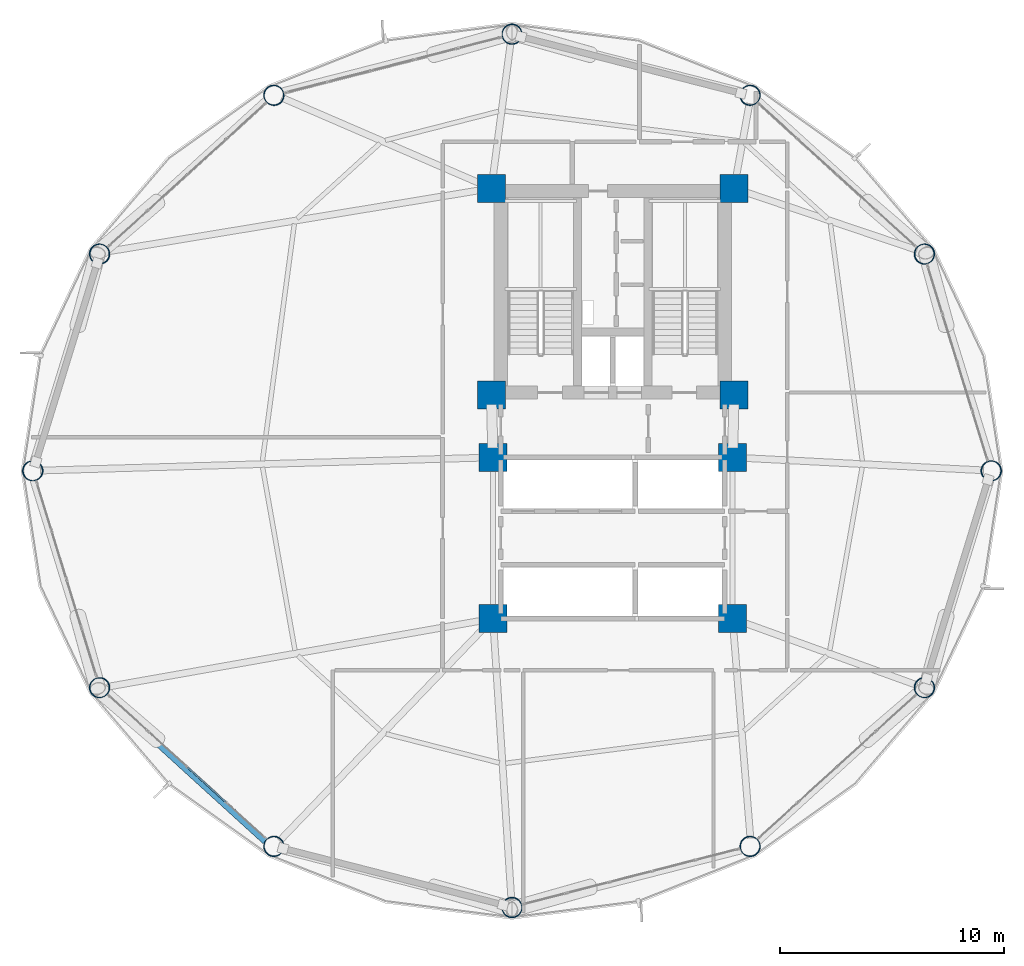
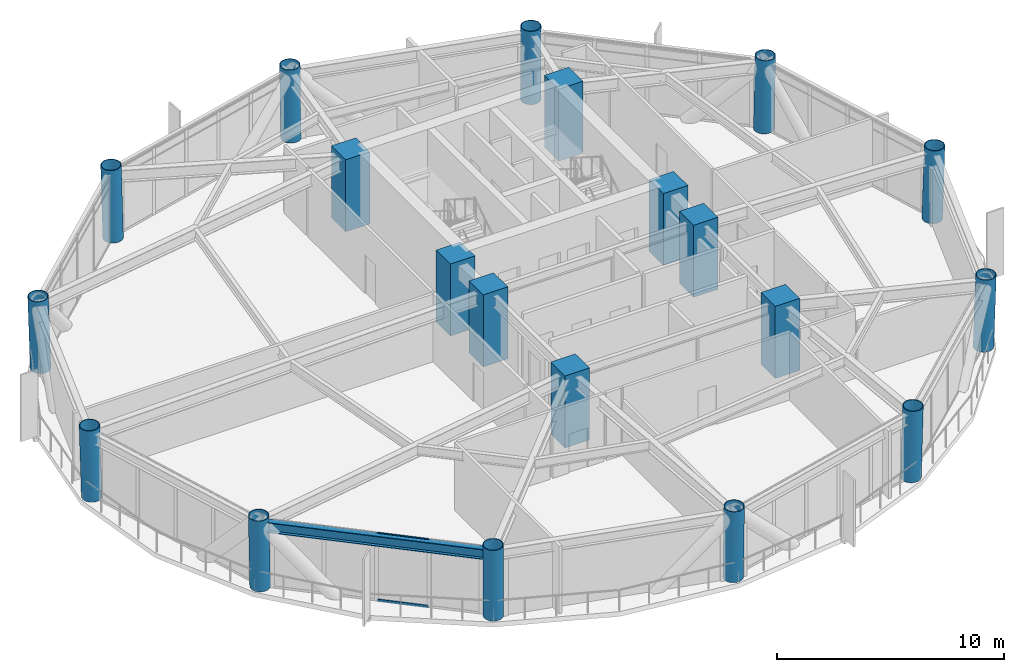
# One storey, part 1 of 25: 20 columns, 2 members, 1 beam, 1 element without a shape of its own.
"""IFC4 building model written with IfcOpenShell, lengths in metres."""

from ifc_helpers import new_model, si_unit, direction, frame, origin, origin_2d, place, context, subcontext, project, spatial, rectangle, hollow_rectangle, hollow_circle, i_section, extrude, material, layer, layer_set, material_profile, profile_set, type_object, element, aggregate, save


model = new_model("IFC4")

# Units and contexts
model_context = context("Model", 3, precision=1e-05, world=origin(), true_north=direction((0.0, 1.0)))
body_context = subcontext(model_context, "Body", "Model", "MODEL_VIEW")
ifc_project = project(units=[si_unit("LENGTHUNIT", "METRE"), si_unit("AREAUNIT", "SQUARE_METRE"), si_unit("VOLUMEUNIT", "CUBIC_METRE"), si_unit("PLANEANGLEUNIT", "RADIAN"), si_unit("MASSUNIT", "GRAM", prefix="KILO")], contexts=[model_context])

# Site, building, storey
site_placement = place(None, origin())
site = spatial("IfcSite", under=ifc_project, at=site_placement, CompositionType="ELEMENT")
building_placement = place(site_placement, origin())
building = spatial("IfcBuilding", under=site, at=building_placement, Name="Varnakorn Sky Granary", CompositionType="ELEMENT")
storey_placement = place(building_placement, frame((0.0, 0.0, 58.800048828125)))
storey = spatial("IfcBuildingStorey", under=building, at=storey_placement, Name="L14", CompositionType="ELEMENT", Elevation=58.800048828125)

# Columns
ifc_material_1 = material(Name="Steel S460M", Category="steel")
ifc_material_profile_1 = material_profile(ifc_material_1, hollow_circle(Radius=0.45703125, WallThickness=0.031982421875, at=origin_2d()), Name="CHS 914x32")
ifc_profile_set_1 = profile_set([ifc_material_profile_1], Name="Steel S460M")
column_type_1 = type_object("IfcColumnType", Name="COL-DC-Z1", PredefinedType="COLUMN", material=ifc_profile_set_1)
for number, where, z_axis, x_axis, name in (
    (1, (19.887939453125, 0.0, 0.0), (0.030479783619, 0.0, 0.999535383461), (0.0, 1.0, 0.0), "Drum Perimeter Column DC01 L14"),
    (2, (16.905517578125, 9.677490234375, 0.0), (0.026387586604, 0.012028708929, 0.999579414271), (-0.414784406739, 0.909919719495, 0.0), "Drum Perimeter Column DC02 L14"),
):
    element("IfcColumn", number, at=place(storey_placement, frame(where, z_axis=z_axis, x_axis=x_axis)), inside=storey, type_object=column_type_1, Name=name, PredefinedType="COLUMN", context=body_context, shape_type="SweptSolid", body=[
        extrude(hollow_circle(Radius=0.45703125, WallThickness=0.031982421875, at=origin_2d()), origin(), (0.0, 0.0, 1.0), 3.876708984375),
    ])
for number, where, z_axis, x_axis, name in (
    (3, (9.12646484375, 16.761962890625, 0.0), (0.01524191062, 0.020784423573, 0.999667790767), (-0.806404995856, 0.591363663628, 0.0), "Drum Perimeter Column DC03 L14"),
    (4, (-1.5, 19.489990234375, 0.0), (0.0, 0.023997623358, 0.999712015569), (-1.0, 0.0, 0.0), "Drum Perimeter Column DC04 L14"),
    (5, (-12.12646484375, 16.761962890625, 0.0), (-0.01524191062, 0.020784423573, 0.999667790767), (-0.806404995856, -0.591363663628, 0.0), "Drum Perimeter Column DC05 L14"),
):
    element("IfcColumn", number, at=place(storey_placement, frame(where, z_axis=z_axis, x_axis=x_axis)), inside=storey, type_object=column_type_1, Name=name, PredefinedType="COLUMN", context=body_context, shape_type="SweptSolid", body=[
        extrude(hollow_circle(Radius=0.45703125, WallThickness=0.031982421875, at=origin_2d()), origin(), (0.0, 0.0, 1.0), 3.876220703125),
    ])
for number, where, z_axis, x_axis, name in (
    (6, (-19.905517578125, 9.677490234375, 0.0), (-0.026387586604, 0.012028708929, 0.999579414271), (-0.414784406739, -0.909919719495, 0.0), "Drum Perimeter Column DC06 L14"),
    (7, (-22.887939453125, 0.0, 0.0), (-0.030479783619, 0.0, 0.999535383461), (0.0, -1.0, 0.0), "Drum Perimeter Column DC07 L14"),
    (8, (-19.905517578125, -9.677490234375, 0.0), (-0.026387586604, -0.012028708929, 0.999579414271), (0.414784406739, -0.909919719495, 0.0), "Drum Perimeter Column DC08 L14"),
):
    element("IfcColumn", number, at=place(storey_placement, frame(where, z_axis=z_axis, x_axis=x_axis)), inside=storey, type_object=column_type_1, Name=name, PredefinedType="COLUMN", context=body_context, shape_type="SweptSolid", body=[
        extrude(hollow_circle(Radius=0.45703125, WallThickness=0.031982421875, at=origin_2d()), origin(), (0.0, 0.0, 1.0), 3.876708984375),
    ])
for number, where, z_axis, x_axis, name in (
    (9, (-12.12646484375, -16.761962890625, 0.0), (-0.01524191062, -0.020784423573, 0.999667790767), (0.806404995856, -0.591363663628, 0.0), "Drum Perimeter Column DC09 L14"),
    (10, (-1.5, -19.489990234375, 0.0), (0.0, -0.023997623358, 0.999712015569), (1.0, 0.0, 0.0), "Drum Perimeter Column DC10 L14"),
    (11, (9.12646484375, -16.761962890625, 0.0), (0.01524191062, -0.020784423573, 0.999667790767), (0.806404995856, 0.591363663628, 0.0), "Drum Perimeter Column DC11 L14"),
):
    element("IfcColumn", number, at=place(storey_placement, frame(where, z_axis=z_axis, x_axis=x_axis)), inside=storey, type_object=column_type_1, Name=name, PredefinedType="COLUMN", context=body_context, shape_type="SweptSolid", body=[
        extrude(hollow_circle(Radius=0.45703125, WallThickness=0.031982421875, at=origin_2d()), origin(), (0.0, 0.0, 1.0), 3.876220703125),
    ])
column_placement = place(storey_placement, frame((16.905517578125, -9.677490234375, 0.0), z_axis=(0.026387586604, -0.012028708929, 0.999579414271), x_axis=(0.414784406739, 0.909919719495, 0.0)))
element("IfcColumn", 12, at=column_placement, inside=storey, type_object=column_type_1, Name="Drum Perimeter Column DC12 L14", PredefinedType="COLUMN", context=body_context, shape_type="SweptSolid", body=[
    extrude(hollow_circle(Radius=0.45703125, WallThickness=0.031982421875, at=origin_2d()), origin(), (0.0, 0.0, 1.0), 3.876708984375),
])
ifc_material_2 = material(Name="Concrete C60/75", Category="concrete")
ifc_material_profile_2 = material_profile(ifc_material_2, rectangle(XDim=1.25, YDim=1.25, at=origin_2d()), Name="RC 1250x1250")
ifc_profile_set_2 = profile_set([ifc_material_profile_2], Name="Concrete C60/75")
column_type_2 = type_object("IfcColumnType", Name="COL-MC-Z1", PredefinedType="COLUMN", material=ifc_profile_set_2)
for number, where, z_axis, x_axis, name in (
    (13, (-2.419921875, 12.6201171875, 0.0), (0.0, 0.0, 1.0), (1.0, 0.0, 0.0), "Backbone Mega-Column MC1 L14"),
    (14, (8.419921875, 12.6201171875, 0.0), (0.0, 0.0, 1.0), (1.0, 0.0, 0.0), "Backbone Mega-Column MC2 L14"),
    (15, (-2.419921875, 3.3798828125, 0.0), (0.0, 0.0, 1.0), (1.0, 0.0, 0.0), "Backbone Mega-Column MC3 L14"),
    (16, (8.419921875, 3.3798828125, 0.0), (0.0, 0.0, 1.0), (1.0, 0.0, 0.0), "Backbone Mega-Column MC4 L14"),
    (17, (-2.35009765625, 0.60009765625, 0.0), (0.0, 0.0, 1.0), (1.0, 0.0, 0.0), "Backbone Mega-Column MC5 L14"),
    (18, (8.35009765625, 0.60009765625, 0.0), (0.0, 0.0, 1.0), (1.0, 0.0, 0.0), "Backbone Mega-Column MC6 L14"),
    (19, (-2.35009765625, -6.60009765625, 0.0), (0.0, 0.0, 1.0), (1.0, 0.0, 0.0), "Backbone Mega-Column MC7 L14"),
    (20, (8.35009765625, -6.60009765625, 0.0), (0.0, 0.0, 1.0), (1.0, 0.0, 0.0), "Backbone Mega-Column MC8 L14"),
):
    element("IfcColumn", number, at=place(storey_placement, frame(where, z_axis=z_axis, x_axis=x_axis)), inside=storey, type_object=column_type_2, Name=name, PredefinedType="COLUMN", context=body_context, shape_type="SweptSolid", body=[
        extrude(rectangle(XDim=1.25, YDim=1.25, at=origin_2d()), origin(), (0.0, 0.0, 1.0), 3.875),
    ])

# Beam
ifc_material_3 = material(Name="Steel S355JR", Category="steel")
ifc_material_profile_3 = material_profile(ifc_material_3, i_section(OverallWidth=0.300048828125, OverallDepth=0.550048828125, WebThickness=0.014892578125, FlangeThickness=0.029052734375, at=origin_2d()), Name="HE 550 B")
ifc_profile_set_3 = profile_set([ifc_material_profile_3], Name="Steel S355JR")
beam_type = type_object("IfcBeamType", Name="BM-SPD-Z1", PredefinedType="SPANDREL", material=ifc_profile_set_3)
beam_placement = place(storey_placement, frame((-19.680908203125, -10.021484375, 3.364990234375), z_axis=(0.739598046308, -0.673048831733, 0.0), x_axis=(0.673048831733, 0.739598046308, 0.0)))
element("IfcBeam", 21, at=beam_placement, inside=storey, type_object=beam_type, Name="Perimeter Spandrel Ring Beam RB08 L14", PredefinedType="SPANDREL", context=body_context, shape_type="SweptSolid", body=[
    extrude(i_section(OverallWidth=0.300048828125, OverallDepth=0.550048828125, WebThickness=0.014892578125, FlangeThickness=0.029052734375, at=origin_2d()), origin(), (0.0, 0.0, 1.0), 9.6923828125),
])

# Curtain wall, members
ifc_material_4 = material(Name="Anodised Bronze Aluminium Alloy 6063-T6", Category="aluminium")
ifc_layer = layer(ifc_material_4, 0.18994140625, Name="Anodised Bronze Aluminium Alloy 6063-T6")
ifc_layer_set = layer_set([ifc_layer], Name="Anodised Bronze Aluminium Alloy 6063-T6")
curtain_wall_type = type_object("IfcCurtainWallType", Name="CW-FRM-1", PredefinedType="USERDEFINED", material=ifc_layer_set)
curtain_wall_placement = place(storey_placement, origin())
curtain_wall = element("IfcCurtainWall", 22, at=curtain_wall_placement, inside=storey, type_object=curtain_wall_type, Name="Unitised Curtain Wall CW3 CW-L14-B08", ObjectType="CURTAIN WALL", PredefinedType="USERDEFINED")
ifc_material_profile_4 = material_profile(ifc_material_4, hollow_rectangle(XDim=0.070068359375, YDim=0.139892578125, WallThickness=0.00341796875, at=origin_2d()), Name="ALU TRAN 70x140")
ifc_profile_set_4 = profile_set([ifc_material_profile_4], Name="Anodised Bronze Aluminium Alloy 6063-T6")
member_type = type_object("IfcMemberType", Name="CW-FRM-1-TRAN", PredefinedType="USERDEFINED", material=ifc_profile_set_4)
member_1_placement = place(storey_placement, frame((-14.288330078125, -14.793212890625, 0.034912109375), z_axis=(-0.739320696519, 0.673353479013, 0.0), x_axis=(-0.673353479013, -0.739320696519, 0.0)))
member_1 = element("IfcMember", 23, at=member_1_placement, type_object=member_type, Name="CW3 transom 2.1", ObjectType="TRANSOM", PredefinedType="USERDEFINED", context=body_context, shape_type="SweptSolid", body=[
    extrude(hollow_rectangle(XDim=0.070068359375, YDim=0.139892578125, WallThickness=0.00341796875, at=origin_2d()), origin(), (0.0, 0.0, 1.0), 2.302001953125),
])
member_2_placement = place(storey_placement, frame((-14.288330078125, -14.793212890625, 3.60498046875), z_axis=(-0.739320696519, 0.673353479013, 0.0), x_axis=(-0.673353479013, -0.739320696519, 0.0)))
member_2 = element("IfcMember", 24, at=member_2_placement, type_object=member_type, Name="CW3 transom 2.2", ObjectType="TRANSOM", PredefinedType="USERDEFINED", context=body_context, shape_type="SweptSolid", body=[
    extrude(hollow_rectangle(XDim=0.070068359375, YDim=0.139892578125, WallThickness=0.00341796875, at=origin_2d()), origin(), (0.0, 0.0, 1.0), 2.302001953125),
])
aggregate(curtain_wall, [member_1, member_2])

save(model, "model.ifc")
